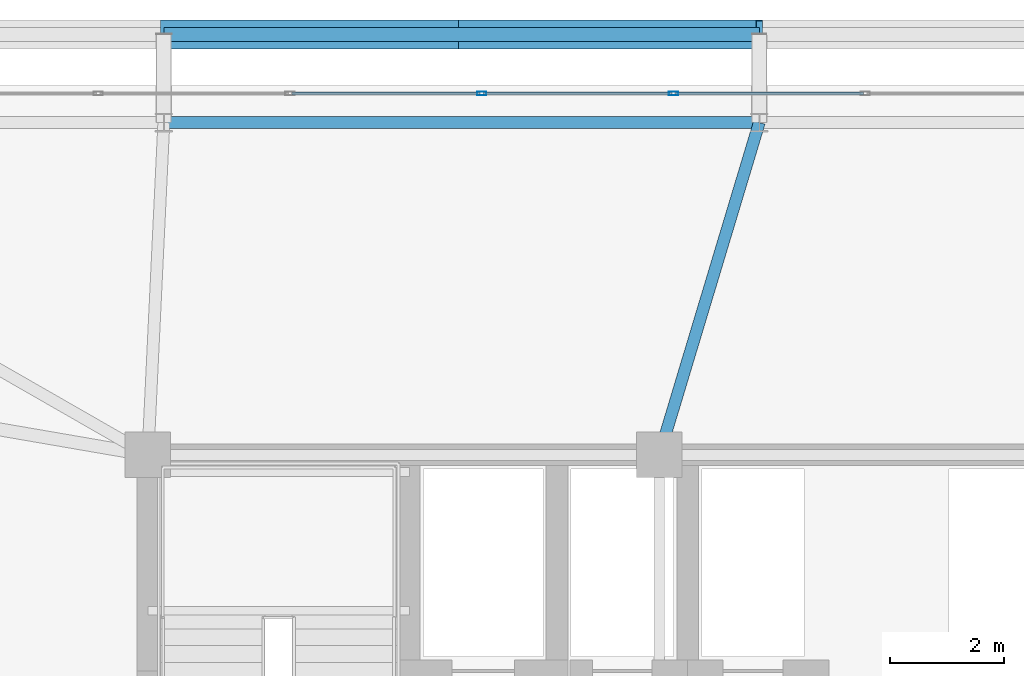
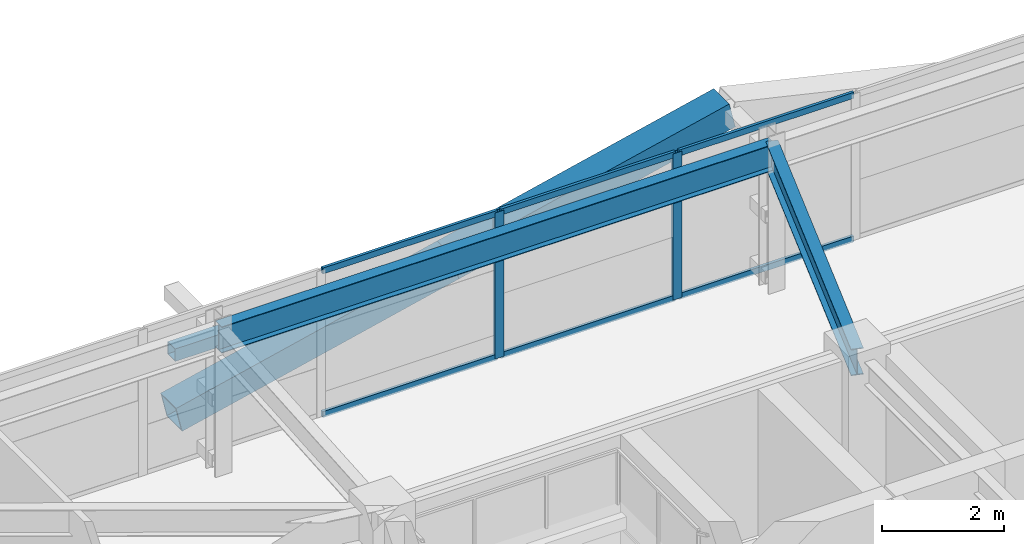
# One storey, part 36 of 58: 11 members, 2 beams, 1 element without a shape of its own.
"""IFC4 building model written with IfcOpenShell, lengths in metres."""

from ifc_helpers import new_model, si_unit, direction, frame, origin, origin_2d, place, context, subcontext, project, spatial, hollow_rectangle, i_section, extrude, source, transform, mapped, material, layer, layer_set, material_profile, profile_set, type_object, element, aggregate, save


model = new_model("IFC4")

# Units and contexts
model_context = context("Model", 3, precision=1e-05, world=origin(), true_north=direction((0.0, 1.0)))
body_context = subcontext(model_context, "Body", "Model", "MODEL_VIEW")
ifc_project = project(units=[si_unit("LENGTHUNIT", "METRE"), si_unit("AREAUNIT", "SQUARE_METRE"), si_unit("VOLUMEUNIT", "CUBIC_METRE"), si_unit("PLANEANGLEUNIT", "RADIAN"), si_unit("MASSUNIT", "GRAM", prefix="KILO")], contexts=[model_context])

# Site, building, storey
site_placement = place(None, origin())
site = spatial("IfcSite", under=ifc_project, at=site_placement, CompositionType="ELEMENT")
building_placement = place(site_placement, origin())
building = spatial("IfcBuilding", under=site, at=building_placement, Name="Taldren Reach Tower", CompositionType="ELEMENT")
storey_placement = place(building_placement, frame((0.0, 0.0, 51.449951171875)))
storey = spatial("IfcBuildingStorey", under=building, at=storey_placement, Name="L15", CompositionType="ELEMENT", Elevation=51.449951171875)

# Beams
ifc_material_1 = material(Name="Steel Gr 350 (350PLUS)", Category="steel")
ifc_material_profile_1 = material_profile(ifc_material_1, i_section(OverallWidth=0.208984375, OverallDepth=0.528076171875, WebThickness=0.009521484375, FlangeThickness=0.01318359375, at=origin_2d()), Name="530UB82.0")
ifc_profile_set_1 = profile_set([ifc_material_profile_1], Name="Steel Gr 350 (350PLUS)")
beam_type_1 = type_object("IfcBeamType", Name="SP-UB530B", PredefinedType="SPANDREL", material=ifc_profile_set_1)
shared_shape_1 = source(origin(), body_context, "Body", "SweptSolid", [
    extrude(i_section(OverallWidth=0.208984375, OverallDepth=0.528076171875, WebThickness=0.009521484375, FlangeThickness=0.01318359375, at=origin_2d()), origin(), (0.0, 0.0, 1.0), 10.47998046875),
])
beam_1_placement = place(storey_placement, frame((29.760009765625, 37.85009765625, 2.666015625), z_axis=(-1.0, 0.0, 0.0), x_axis=(0.0, -1.0, 0.0)))
element("IfcBeam", 1, at=beam_1_placement, inside=storey, type_object=beam_type_1, Name="Perimeter spandrel B1 N3-N2 L15", PredefinedType="SPANDREL", context=body_context, shape_type="MappedRepresentation", body=[
    mapped(shared_shape_1, transform((0.0, 0.0, 0.0), scale=1.0)),
])
ifc_material_profile_2 = material_profile(ifc_material_1, i_section(OverallWidth=0.208984375, OverallDepth=0.532958984375, WebThickness=0.01025390625, FlangeThickness=0.015625, at=origin_2d()), Name="530UB92.4")
ifc_profile_set_2 = profile_set([ifc_material_profile_2], Name="Steel Gr 350 (350PLUS)")
beam_type_2 = type_object("IfcBeamType", Name="BM-UB530A", PredefinedType="BEAM", material=ifc_profile_set_2)
shared_shape_2 = source(origin(), body_context, "Body", "SweptSolid", [
    extrude(i_section(OverallWidth=0.208984375, OverallDepth=0.532958984375, WebThickness=0.01025390625, FlangeThickness=0.015625, at=origin_2d()), origin(), (0.0, 0.0, 1.0), 6.109130859375),
])
beam_2_placement = place(storey_placement, frame((28.0, 32.0, 2.66357421875), z_axis=(0.288095735745, 0.957601611864, 0.0), x_axis=(-0.957601611864, 0.288095735745, 0.0)))
element("IfcBeam", 2, at=beam_2_placement, inside=storey, type_object=beam_type_2, Name="Primary floor girder B1-N3 L15", PredefinedType="BEAM", context=body_context, shape_type="MappedRepresentation", body=[
    mapped(shared_shape_2, transform((0.0, 0.0, 0.0), scale=1.0)),
])

# Members
ifc_material_2 = material(Name="Steel Gr 450 (C450L0)", Category="steel")
ifc_material_profile_3 = material_profile(ifc_material_2, hollow_rectangle(XDim=0.510009765625, YDim=0.510009765625, WallThickness=0.02001953125, at=origin_2d()), Name="510x510x20.0SHS")
ifc_profile_set_3 = profile_set([ifc_material_profile_3], Name="Steel Gr 450 (C450L0)")
member_type_1 = type_object("IfcMemberType", Name="MB-EXO508", PredefinedType="BRACE", material=ifc_profile_set_3)
shared_shape_3 = source(origin(), body_context, "Body", "SweptSolid", [
    extrude(hollow_rectangle(XDim=0.510009765625, YDim=0.510009765625, WallThickness=0.02001953125, at=origin_2d()), origin(), (0.0, 0.0, 1.0), 5.37890625),
])
for number, where, z_axis, x_axis, name in (
    (3, (19.280029296875, 39.39990234375, 0.219970703125), (0.97415197996, 0.0, 0.225893603143), (0.0, 1.0, 0.0), "Exoskeleton Diagrid Brace B1-N2 L15"),
    (4, (24.52001953125, 39.39990234375, 1.43505859375), (0.97415197996, 0.0, 0.225893603143), (0.0, 1.0, 0.0), "Exoskeleton Diagrid Brace B1-N2 L15"),
):
    element("IfcMember", number, at=place(storey_placement, frame(where, z_axis=z_axis, x_axis=x_axis)), inside=storey, type_object=member_type_1, Name=name, PredefinedType="BRACE", context=body_context, shape_type="MappedRepresentation", body=[
        mapped(shared_shape_3, transform((0.0, 0.0, 0.0), scale=1.0)),
    ])
ifc_material_3 = material(Name="Steel Gr 350 (C350L0)", Category="steel")
ifc_material_profile_4 = material_profile(ifc_material_3, hollow_rectangle(XDim=0.25, YDim=0.25, WallThickness=0.010009765625, at=origin_2d()), Name="250x250x10.0SHS")
ifc_profile_set_4 = profile_set([ifc_material_profile_4], Name="Steel Gr 350 (C350L0)")
member_type_2 = type_object("IfcMemberType", Name="MB-POST250", PredefinedType="POST", material=ifc_profile_set_4)
shared_shape_4 = source(origin(), body_context, "Body", "SweptSolid", [
    extrude(hollow_rectangle(XDim=0.25, YDim=0.25, WallThickness=0.010009765625, at=origin_2d()), origin(), (0.0, 0.0, 1.0), 10.47998046875),
])
member_1_placement = place(storey_placement, frame((19.280029296875, 39.39990234375, 1.43505859375), z_axis=(1.0, 0.0, 0.0), x_axis=(0.0, 1.0, 0.0)))
element("IfcMember", 5, at=member_1_placement, inside=storey, type_object=member_type_2, Name="Exoskeleton mid-height ring chord B1-N2 L15", PredefinedType="POST", context=body_context, shape_type="MappedRepresentation", body=[
    mapped(shared_shape_4, transform((0.0, 0.0, 0.0), scale=1.0)),
])

# Curtain wall, members
ifc_material_4 = material(Name="Aluminium and Low-E Glass Unitised System", Category="aluminium")
ifc_layer = layer(ifc_material_4, 0.159912109375)
ifc_layer_set = layer_set([ifc_layer], Name="Aluminium and Low-E Glass Unitised System")
curtain_wall_type = type_object("IfcCurtainWallType", Name="CW-SYS-2", PredefinedType="NOTDEFINED", material=ifc_layer_set)
curtain_wall_placement = place(storey_placement, origin())
curtain_wall = element("IfcCurtainWall", 6, at=curtain_wall_placement, inside=storey, type_object=curtain_wall_type, Name="Unitised curtain wall CW-L15-N", PredefinedType="NOTDEFINED")
ifc_material_5 = material(Name="Anodised Aluminium 6063-T6", Category="aluminium")
ifc_material_profile_5 = material_profile(ifc_material_5, hollow_rectangle(XDim=0.06494140625, YDim=0.1650390625, WallThickness=0.00390625, at=origin_2d()), Name="ALU-165x65x4RHS")
ifc_profile_set_5 = profile_set([ifc_material_profile_5], Name="Anodised Aluminium 6063-T6")
member_type_3 = type_object("IfcMemberType", Name="CW-MUL-165", PredefinedType="MULLION", material=ifc_profile_set_5)
shared_shape_5 = source(origin(), body_context, "Body", "SweptSolid", [
    extrude(hollow_rectangle(XDim=0.06494140625, YDim=0.1650390625, WallThickness=0.00390625, at=origin_2d()), origin(), (0.0, 0.0, 1.0), 2.929931640625),
])
member_2_placement = place(storey_placement, frame((28.25, 38.360107421875, 0.0), z_axis=(0.0, 0.0, 1.0), x_axis=(0.0, -1.0, 0.0)))
member_2 = element("IfcMember", 7, at=member_2_placement, type_object=member_type_3, Name="CW-2 mullion 11", PredefinedType="MULLION", context=body_context, shape_type="MappedRepresentation", body=[
    mapped(shared_shape_5, transform((0.0, 0.0, 0.0), scale=1.0)),
])
member_3_placement = place(storey_placement, frame((24.875, 38.360107421875, 0.0), z_axis=(0.0, 0.0, 1.0), x_axis=(0.0, -1.0, 0.0)))
member_3 = element("IfcMember", 8, at=member_3_placement, type_object=member_type_3, Name="CW-2 mullion 12", PredefinedType="MULLION", context=body_context, shape_type="MappedRepresentation", body=[
    mapped(shared_shape_5, transform((0.0, 0.0, 0.0), scale=1.0)),
])
ifc_material_profile_6 = material_profile(ifc_material_5, hollow_rectangle(XDim=0.054931640625, YDim=0.1201171875, WallThickness=0.0029296875, at=origin_2d()), Name="ALU-120x55x3RHS")
ifc_profile_set_6 = profile_set([ifc_material_profile_6], Name="Anodised Aluminium 6063-T6")
member_type_4 = type_object("IfcMemberType", Name="CW-TRN-135", PredefinedType="USERDEFINED", material=ifc_profile_set_6)
shared_shape_6 = source(origin(), body_context, "Body", "SweptSolid", [
    extrude(hollow_rectangle(XDim=0.054931640625, YDim=0.1201171875, WallThickness=0.0029296875, at=origin_2d()), origin(), (0.0, 0.0, 1.0), 3.31005859375),
])
member_4_placement = place(storey_placement, frame((31.592529296875, 38.360107421875, 0.027587890625), z_axis=(-1.0, 0.0, 0.0), x_axis=(0.0, -1.0, 0.0)))
member_4 = element("IfcMember", 9, at=member_4_placement, type_object=member_type_4, Name="CW-2 transom 10.1", ObjectType="TRANSOM", PredefinedType="USERDEFINED", context=body_context, shape_type="MappedRepresentation", body=[
    mapped(shared_shape_6, transform((0.0, 0.0, 0.0), scale=1.0)),
])
member_5_placement = place(storey_placement, frame((31.592529296875, 38.360107421875, 2.902587890625), z_axis=(-1.0, 0.0, 0.0), x_axis=(0.0, -1.0, 0.0)))
member_5 = element("IfcMember", 10, at=member_5_placement, type_object=member_type_4, Name="CW-2 transom 10.2", ObjectType="TRANSOM", PredefinedType="USERDEFINED", context=body_context, shape_type="MappedRepresentation", body=[
    mapped(shared_shape_6, transform((0.0, 0.0, 0.0), scale=1.0)),
])
member_6_placement = place(storey_placement, frame((28.217529296875, 38.360107421875, 0.027587890625), z_axis=(-1.0, 0.0, 0.0), x_axis=(0.0, -1.0, 0.0)))
member_6 = element("IfcMember", 11, at=member_6_placement, type_object=member_type_4, Name="CW-2 transom 11.1", ObjectType="TRANSOM", PredefinedType="USERDEFINED", context=body_context, shape_type="MappedRepresentation", body=[
    mapped(shared_shape_6, transform((0.0, 0.0, 0.0), scale=1.0)),
])
member_7_placement = place(storey_placement, frame((28.217529296875, 38.360107421875, 2.902587890625), z_axis=(-1.0, 0.0, 0.0), x_axis=(0.0, -1.0, 0.0)))
member_7 = element("IfcMember", 12, at=member_7_placement, type_object=member_type_4, Name="CW-2 transom 11.2", ObjectType="TRANSOM", PredefinedType="USERDEFINED", context=body_context, shape_type="MappedRepresentation", body=[
    mapped(shared_shape_6, transform((0.0, 0.0, 0.0), scale=1.0)),
])
member_8_placement = place(storey_placement, frame((24.842529296875, 38.360107421875, 0.027587890625), z_axis=(-1.0, 0.0, 0.0), x_axis=(0.0, -1.0, 0.0)))
member_8 = element("IfcMember", 13, at=member_8_placement, type_object=member_type_4, Name="CW-2 transom 12.1", ObjectType="TRANSOM", PredefinedType="USERDEFINED", context=body_context, shape_type="MappedRepresentation", body=[
    mapped(shared_shape_6, transform((0.0, 0.0, 0.0), scale=1.0)),
])
member_9_placement = place(storey_placement, frame((24.842529296875, 38.360107421875, 2.902587890625), z_axis=(-1.0, 0.0, 0.0), x_axis=(0.0, -1.0, 0.0)))
member_9 = element("IfcMember", 14, at=member_9_placement, type_object=member_type_4, Name="CW-2 transom 12.2", ObjectType="TRANSOM", PredefinedType="USERDEFINED", context=body_context, shape_type="MappedRepresentation", body=[
    mapped(shared_shape_6, transform((0.0, 0.0, 0.0), scale=1.0)),
])
aggregate(curtain_wall, [member_2, member_3, member_4, member_5, member_6, member_7, member_8, member_9])

save(model, "model.ifc")
